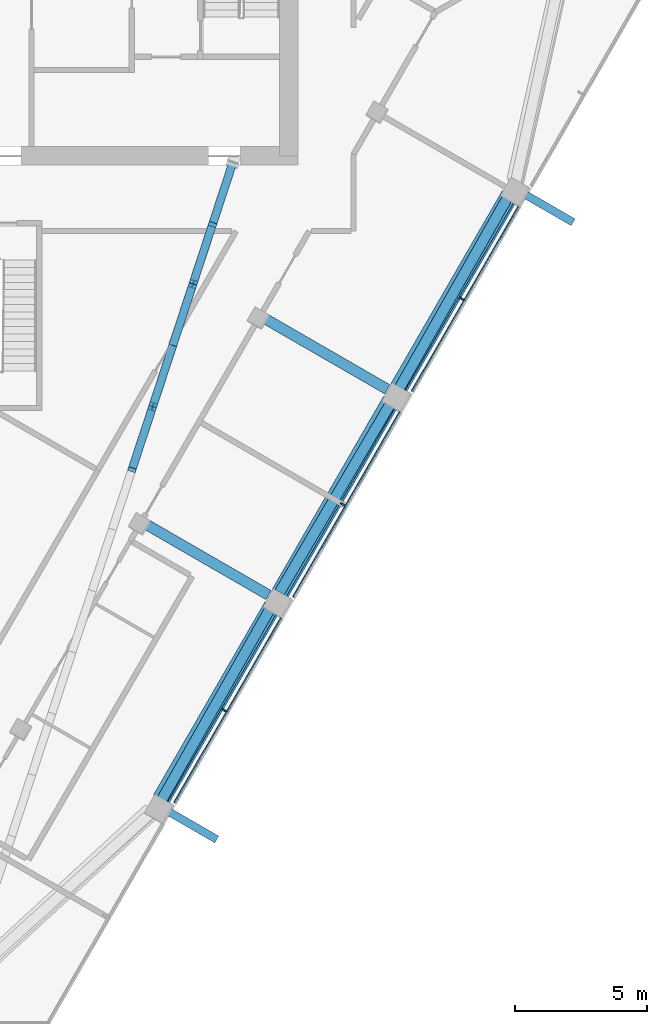
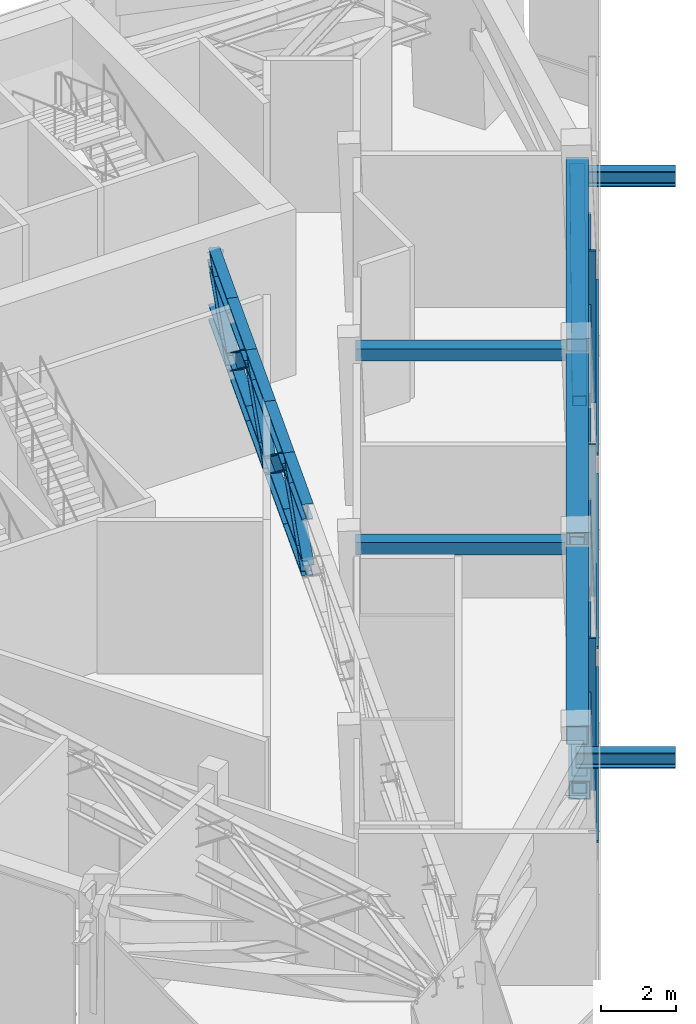
# One storey, part 4 of 14: 32 members, 2 beams, 1 element without a shape of its own.
"""IFC4 building model written with IfcOpenShell, lengths in metres."""

from ifc_helpers import new_model, si_unit, direction, frame, origin, origin_2d, place, context, subcontext, project, spatial, rectangle, hollow_rectangle, i_section, extrude, material, layer, layer_set, material_profile, profile_set, type_object, element, aggregate, save


model = new_model("IFC4")

# Units and contexts
model_context = context("Model", 3, precision=1e-05, world=origin(), true_north=direction((0.0, 1.0)))
body_context = subcontext(model_context, "Body", "Model", "MODEL_VIEW")
ifc_project = project(units=[si_unit("LENGTHUNIT", "METRE"), si_unit("AREAUNIT", "SQUARE_METRE"), si_unit("VOLUMEUNIT", "CUBIC_METRE"), si_unit("PLANEANGLEUNIT", "RADIAN"), si_unit("MASSUNIT", "GRAM", prefix="KILO")], contexts=[model_context])

# Site, building, storey
site_placement = place(None, origin())
site = spatial("IfcSite", under=ifc_project, at=site_placement, CompositionType="ELEMENT")
building_placement = place(site_placement, origin())
building = spatial("IfcBuilding", under=site, at=building_placement, Name="Altiplano Prism Tower", CompositionType="ELEMENT")
storey_placement = place(building_placement, frame((0.0, 0.0, 189.0)))
storey = spatial("IfcBuildingStorey", under=building, at=storey_placement, Name="L49", CompositionType="ELEMENT", Elevation=189.0)

# Members
ifc_material_1 = material(Name="Steel S355", Category="steel")
ifc_material_profile_1 = material_profile(ifc_material_1, hollow_rectangle(XDim=0.60009765625, YDim=0.60009765625, WallThickness=0.030029296875, at=origin_2d()), Name="Belt chord Box 600x600x30")
ifc_profile_set_1 = profile_set([ifc_material_profile_1], Name="Steel S355")
member_type_1 = type_object("IfcMemberType", Name="Belt chord Box 600x600x30", PredefinedType="CHORD", material=ifc_profile_set_1)
for number, where, z_axis, x_axis, name in (
    (1, (92.52294921875, 68.622314453125, 2.89990234375), (0.499993714791, 0.866029032521, 0.0), (-0.866029032521, 0.499993714791, 0.0), "Belt truss R2 chord b11"),
    (2, (92.48388671875, 68.689697265625, 4.64990234375), (0.499993714791, 0.866029032521, 0.0), (-0.866029032521, 0.499993714791, 0.0), "Belt truss R2 chord t11"),
    (3, (97.02294921875, 76.41650390625, 2.89990234375), (0.499993714791, 0.866029032521, 0.0), (-0.866029032521, 0.499993714791, 0.0), "Belt truss R2 chord b12"),
    (4, (96.98388671875, 76.48388671875, 4.64990234375), (0.499993714791, 0.866029032521, 0.0), (-0.866029032521, 0.499993714791, 0.0), "Belt truss R2 chord t12"),
    (5, (101.52294921875, 84.210693359375, 2.89990234375), (0.499993714791, 0.866029032521, 0.0), (-0.866029032521, 0.499993714791, 0.0), "Belt truss R2 chord b13"),
    (6, (101.48388671875, 84.278076171875, 4.64990234375), (0.499993714791, 0.866029032521, 0.0), (-0.866029032521, 0.499993714791, 0.0), "Belt truss R2 chord t13"),
):
    element("IfcMember", number, at=place(storey_placement, frame(where, z_axis=z_axis, x_axis=x_axis)), inside=storey, type_object=member_type_1, Name=name, PredefinedType="CHORD", context=body_context, shape_type="SweptSolid", body=[
        extrude(hollow_rectangle(XDim=0.60009765625, YDim=0.60009765625, WallThickness=0.030029296875, at=origin_2d()), origin(), (0.0, 0.0, 1.0), 8.43994140625),
    ])
ifc_material_profile_2 = material_profile(ifc_material_1, hollow_rectangle(XDim=0.39990234375, YDim=0.39990234375, WallThickness=0.02001953125, at=origin_2d()), Name="Belt diagonal Box 400x400x20")
ifc_profile_set_2 = profile_set([ifc_material_profile_2], Name="Steel S355")
member_type_2 = type_object("IfcMemberType", Name="Belt diagonal Box 400x400x20", PredefinedType="BRACE", material=ifc_profile_set_2)
member_1_placement = place(storey_placement, frame((92.52099609375, 68.623291015625, 2.9541015625), z_axis=(0.484543905477, 0.853866939434, 0.190074862635), x_axis=(-0.869722325715, 0.493541362149, 0.0)))
element("IfcMember", 7, at=member_1_placement, inside=storey, type_object=member_type_2, Name="Belt truss R2 diagonal 11", PredefinedType="BRACE", context=body_context, shape_type="SweptSolid", body=[
    extrude(hollow_rectangle(XDim=0.39990234375, YDim=0.39990234375, WallThickness=0.02001953125, at=origin_2d()), origin(), (0.0, 0.0, 1.0), 8.63671875),
])
member_2_placement = place(storey_placement, frame((96.98583984375, 76.48291015625, 4.59521484375), z_axis=(0.497100402967, 0.84626002963, -0.191664163632), x_axis=(-0.862245571971, 0.506490447706, 0.0)))
element("IfcMember", 8, at=member_2_placement, inside=storey, type_object=member_type_2, Name="Belt truss R2 diagonal 12", PredefinedType="BRACE", context=body_context, shape_type="SweptSolid", body=[
    extrude(hollow_rectangle(XDim=0.39990234375, YDim=0.39990234375, WallThickness=0.02001953125, at=origin_2d()), origin(), (0.0, 0.0, 1.0), 8.559814453125),
])
member_3_placement = place(storey_placement, frame((101.52099609375, 84.2119140625, 2.9541015625), z_axis=(0.484543905477, 0.853866939434, 0.190074862635), x_axis=(-0.869722325715, 0.493541362149, 0.0)))
element("IfcMember", 9, at=member_3_placement, inside=storey, type_object=member_type_2, Name="Belt truss R2 diagonal 13", PredefinedType="BRACE", context=body_context, shape_type="SweptSolid", body=[
    extrude(hollow_rectangle(XDim=0.39990234375, YDim=0.39990234375, WallThickness=0.02001953125, at=origin_2d()), origin(), (0.0, 0.0, 1.0), 8.63671875),
])
ifc_material_profile_3 = material_profile(ifc_material_1, i_section(OverallWidth=0.300048828125, OverallDepth=0.5, WebThickness=0.014404296875, FlangeThickness=0.028076171875, FilletRadius=0.027099609375, at=origin_2d()), Name="Brace bracket HEB 500")
ifc_profile_set_3 = profile_set([ifc_material_profile_3], Name="Steel S355")
member_type_3 = type_object("IfcMemberType", Name="Brace bracket HEB 500", PredefinedType="STRUT", material=ifc_profile_set_3)
for number, where, z_axis, x_axis, name in (
    (10, (92.327392578125, 68.47607421875, 4.120849609375), (0.866029095148, -0.499993606316, 0.0), (0.499993606316, 0.866029095148, 0.0), "Brace bracket 2.194.4"),
    (11, (105.827392578125, 91.858642578125, 4.125732421875), (0.866029095148, -0.499993606316, 0.0), (0.499993606316, 0.866029095148, 0.0), "Brace bracket 2.194.4"),
):
    element("IfcMember", number, at=place(storey_placement, frame(where, z_axis=z_axis, x_axis=x_axis)), inside=storey, type_object=member_type_3, Name=name, PredefinedType="STRUT", context=body_context, shape_type="SweptSolid", body=[
        extrude(i_section(OverallWidth=0.300048828125, OverallDepth=0.5, WebThickness=0.014404296875, FlangeThickness=0.028076171875, FilletRadius=0.027099609375, at=origin_2d()), origin(), (0.0, 0.0, 1.0), 2.64990234375),
    ])

# Curtain wall, members
ifc_material_2 = material(Name="Aluminium and glass", Category="aluminium")
ifc_layer = layer(ifc_material_2, 0.320068359375)
ifc_layer_set = layer_set([ifc_layer], Name="Aluminium and glass")
curtain_wall_type = type_object("IfcCurtainWallType", Name="CW6 louvred plant-floor curtain wall", PredefinedType="NOTDEFINED", material=ifc_layer_set)
curtain_wall_placement = place(storey_placement, origin())
curtain_wall = element("IfcCurtainWall", 12, at=curtain_wall_placement, inside=storey, type_object=curtain_wall_type, Name="CW6 curtain wall south-east face L49", PredefinedType="NOTDEFINED")
ifc_material_3 = material(Name="Aluminium", Category="aluminium")
ifc_material_profile_4 = material_profile(ifc_material_3, rectangle(XDim=0.199951171875, YDim=0.06005859375, at=origin_2d()), Name="CW6 mullion 60 x 200")
ifc_profile_set_4 = profile_set([ifc_material_profile_4], Name="Aluminium")
member_type_4 = type_object("IfcMemberType", Name="CW6 mullion 60 x 200", PredefinedType="MULLION", material=ifc_profile_set_4)
member_4_placement = place(storey_placement, frame((94.896484375, 72.05029296875, 0.0), z_axis=(0.0, 0.0, 1.0), x_axis=(-0.866025397379, 0.500000011094, 0.0)))
member_4 = element("IfcMember", 13, at=member_4_placement, type_object=member_type_4, Name="CW6 mullion", PredefinedType="MULLION", context=body_context, shape_type="SweptSolid", body=[
    extrude(rectangle(XDim=0.199951171875, YDim=0.06005859375, at=origin_2d()), origin(), (0.0, 0.0, 1.0), 4.949951171875),
])
member_5_placement = place(storey_placement, frame((99.396484375, 79.844482421875, 0.0), z_axis=(0.0, 0.0, 1.0), x_axis=(-0.866025397379, 0.500000011094, 0.0)))
member_5 = element("IfcMember", 14, at=member_5_placement, type_object=member_type_4, Name="CW6 mullion", PredefinedType="MULLION", context=body_context, shape_type="SweptSolid", body=[
    extrude(rectangle(XDim=0.199951171875, YDim=0.06005859375, at=origin_2d()), origin(), (0.0, 0.0, 1.0), 4.949951171875),
])
member_6_placement = place(storey_placement, frame((103.896484375, 87.638916015625, 0.0), z_axis=(0.0, 0.0, 1.0), x_axis=(-0.866025397379, 0.500000011094, 0.0)))
member_6 = element("IfcMember", 15, at=member_6_placement, type_object=member_type_4, Name="CW6 mullion", PredefinedType="MULLION", context=body_context, shape_type="SweptSolid", body=[
    extrude(rectangle(XDim=0.199951171875, YDim=0.06005859375, at=origin_2d()), origin(), (0.0, 0.0, 1.0), 4.949951171875),
])
ifc_material_profile_5 = material_profile(ifc_material_3, rectangle(XDim=0.06005859375, YDim=0.080078125, at=origin_2d()), Name="CW6 transom 80 x 60")
ifc_profile_set_5 = profile_set([ifc_material_profile_5], Name="Aluminium")
member_type_5 = type_object("IfcMemberType", Name="CW6 transom 80 x 60", PredefinedType="USERDEFINED", material=ifc_profile_set_5)
member_7_placement = place(storey_placement, frame((93.01904296875, 68.53857421875, 1.10009765625), z_axis=(0.500012779794, 0.866018025241, 0.0), x_axis=(-0.866018025241, 0.500012779794, 0.0)))
member_7 = element("IfcMember", 16, at=member_7_placement, type_object=member_type_5, Name="CW6 transom", ObjectType="TRANSOM", PredefinedType="USERDEFINED", context=body_context, shape_type="SweptSolid", body=[
    extrude(rectangle(XDim=0.06005859375, YDim=0.080078125, at=origin_2d()), origin(), (0.0, 0.0, 1.0), 8.079833984375),
])
member_8_placement = place(storey_placement, frame((97.51904296875, 76.332763671875, 1.10009765625), z_axis=(0.499999695987, 0.866025579307, 0.0), x_axis=(-0.866025579307, 0.499999695987, 0.0)))
member_8 = element("IfcMember", 17, at=member_8_placement, type_object=member_type_5, Name="CW6 transom", ObjectType="TRANSOM", PredefinedType="USERDEFINED", context=body_context, shape_type="SweptSolid", body=[
    extrude(rectangle(XDim=0.06005859375, YDim=0.080078125, at=origin_2d()), origin(), (0.0, 0.0, 1.0), 8.080078125),
])
member_9_placement = place(storey_placement, frame((102.01904296875, 84.126953125, 1.10009765625), z_axis=(0.499999695987, 0.866025579307, 0.0), x_axis=(-0.866025579307, 0.499999695987, 0.0)))
member_9 = element("IfcMember", 18, at=member_9_placement, type_object=member_type_5, Name="CW6 transom", ObjectType="TRANSOM", PredefinedType="USERDEFINED", context=body_context, shape_type="SweptSolid", body=[
    extrude(rectangle(XDim=0.06005859375, YDim=0.080078125, at=origin_2d()), origin(), (0.0, 0.0, 1.0), 8.080078125),
])
aggregate(curtain_wall, [member_4, member_7, member_5, member_8, member_6, member_9])

# Members
ifc_material_profile_6 = material_profile(ifc_material_1, i_section(OverallWidth=0.305908203125, OverallDepth=0.52392578125, WebThickness=0.02099609375, FlangeThickness=0.0400390625, FilletRadius=0.027099609375, at=origin_2d()), Name="Outrigger chord HEM 500")
ifc_profile_set_6 = profile_set([ifc_material_profile_6], Name="Steel S355")
member_type_6 = type_object("IfcMemberType", Name="Outrigger chord HEM 500", PredefinedType="CHORD", material=ifc_profile_set_6)
for number, where, z_axis, x_axis, name in (
    (19, (91.430419921875, 81.224853515625, 2.862060546875), (0.312061899705, 0.950061772072, 0.0), (-0.950061772072, 0.312061899705, 0.0), "Outrigger truss R2 4 chord b9"),
    (20, (91.430419921875, 81.224853515625, 4.68798828125), (0.312061899705, 0.950061772072, 0.0), (-0.950061772072, 0.312061899705, 0.0), "Outrigger truss R2 4 chord t9"),
):
    element("IfcMember", number, at=place(storey_placement, frame(where, z_axis=z_axis, x_axis=x_axis)), inside=storey, type_object=member_type_6, Name=name, PredefinedType="CHORD", context=body_context, shape_type="SweptSolid", body=[
        extrude(i_section(OverallWidth=0.305908203125, OverallDepth=0.52392578125, WebThickness=0.02099609375, FlangeThickness=0.0400390625, FilletRadius=0.027099609375, at=origin_2d()), origin(), (0.0, 0.0, 1.0), 2.445556640625),
    ])
for number, where, z_axis, x_axis, name in (
    (21, (92.193603515625, 83.54833984375, 2.862060546875), (0.312152001858, 0.950032171948, 0.0), (-0.950032171948, 0.312152001858, 0.0), "Outrigger truss R2 4 chord b10"),
    (22, (92.193603515625, 83.54833984375, 4.68798828125), (0.312152001858, 0.950032171948, 0.0), (-0.950032171948, 0.312152001858, 0.0), "Outrigger truss R2 4 chord t10"),
):
    element("IfcMember", number, at=place(storey_placement, frame(where, z_axis=z_axis, x_axis=x_axis)), inside=storey, type_object=member_type_6, Name=name, PredefinedType="CHORD", context=body_context, shape_type="SweptSolid", body=[
        extrude(i_section(OverallWidth=0.305908203125, OverallDepth=0.52392578125, WebThickness=0.02099609375, FlangeThickness=0.0400390625, FilletRadius=0.027099609375, at=origin_2d()), origin(), (0.0, 0.0, 1.0), 2.44580078125),
    ])
for number, where, z_axis, x_axis, name in (
    (23, (92.95703125, 85.871826171875, 2.862060546875), (0.312061899705, 0.950061772072, 0.0), (-0.950061772072, 0.312061899705, 0.0), "Outrigger truss R2 4 chord b11"),
    (24, (92.95703125, 85.871826171875, 4.68798828125), (0.312061899705, 0.950061772072, 0.0), (-0.950061772072, 0.312061899705, 0.0), "Outrigger truss R2 4 chord t11"),
):
    element("IfcMember", number, at=place(storey_placement, frame(where, z_axis=z_axis, x_axis=x_axis)), inside=storey, type_object=member_type_6, Name=name, PredefinedType="CHORD", context=body_context, shape_type="SweptSolid", body=[
        extrude(i_section(OverallWidth=0.305908203125, OverallDepth=0.52392578125, WebThickness=0.02099609375, FlangeThickness=0.0400390625, FilletRadius=0.027099609375, at=origin_2d()), origin(), (0.0, 0.0, 1.0), 2.445556640625),
    ])
for number, where, z_axis, x_axis, name in (
    (25, (93.72021484375, 88.1953125, 2.862060546875), (0.312032305588, 0.950071492189, 0.0), (-0.950071492189, 0.312032305588, 0.0), "Outrigger truss R2 4 chord b12"),
    (26, (93.72021484375, 88.1953125, 4.68798828125), (0.312032305588, 0.950071492189, 0.0), (-0.950071492189, 0.312032305588, 0.0), "Outrigger truss R2 4 chord t12"),
):
    element("IfcMember", number, at=place(storey_placement, frame(where, z_axis=z_axis, x_axis=x_axis)), inside=storey, type_object=member_type_6, Name=name, PredefinedType="CHORD", context=body_context, shape_type="SweptSolid", body=[
        extrude(i_section(OverallWidth=0.305908203125, OverallDepth=0.52392578125, WebThickness=0.02099609375, FlangeThickness=0.0400390625, FilletRadius=0.027099609375, at=origin_2d()), origin(), (0.0, 0.0, 1.0), 2.44580078125),
    ])
for number, where, z_axis, x_axis, name in (
    (27, (94.4833984375, 90.51904296875, 2.862060546875), (0.312175534256, 0.950024439587, 0.0), (-0.950024439587, 0.312175534256, 0.0), "Outrigger truss R2 4 chord b13"),
    (28, (94.4833984375, 90.51904296875, 4.68798828125), (0.312175534256, 0.950024439587, 0.0), (-0.950024439587, 0.312175534256, 0.0), "Outrigger truss R2 4 chord t13"),
):
    element("IfcMember", number, at=place(storey_placement, frame(where, z_axis=z_axis, x_axis=x_axis)), inside=storey, type_object=member_type_6, Name=name, PredefinedType="CHORD", context=body_context, shape_type="SweptSolid", body=[
        extrude(i_section(OverallWidth=0.305908203125, OverallDepth=0.52392578125, WebThickness=0.02099609375, FlangeThickness=0.0400390625, FilletRadius=0.027099609375, at=origin_2d()), origin(), (0.0, 0.0, 1.0), 2.405517578125),
    ])
ifc_material_profile_7 = material_profile(ifc_material_1, i_section(OverallWidth=0.300048828125, OverallDepth=0.5, WebThickness=0.014404296875, FlangeThickness=0.028076171875, FilletRadius=0.027099609375, at=origin_2d()), Name="Outrigger diagonal HEB 500")
ifc_profile_set_7 = profile_set([ifc_material_profile_7], Name="Steel S355")
member_type_7 = type_object("IfcMemberType", Name="Outrigger diagonal HEB 500", PredefinedType="BRACE", material=ifc_profile_set_7)
for number, where, z_axis, x_axis, name in (
    (29, (91.430419921875, 81.224853515625, 2.862060546875), (0.250055510962, 0.761285443963, 0.598261409625), (-0.950061772072, 0.312061899705, 0.0), "Outrigger truss R2 4 diagonal 9"),
    (30, (92.193603515625, 83.54833984375, 4.68798828125), (0.250130499147, 0.761270214386, -0.598249441357), (-0.950032171948, 0.312152001858, 0.0), "Outrigger truss R2 4 diagonal 10"),
    (31, (92.95703125, 85.871826171875, 2.862060546875), (0.250055510962, 0.761285443963, 0.598261409625), (-0.950061772072, 0.312061899705, 0.0), "Outrigger truss R2 4 diagonal 11"),
):
    element("IfcMember", number, at=place(storey_placement, frame(where, z_axis=z_axis, x_axis=x_axis)), inside=storey, type_object=member_type_7, Name=name, PredefinedType="BRACE", context=body_context, shape_type="SweptSolid", body=[
        extrude(i_section(OverallWidth=0.300048828125, OverallDepth=0.5, WebThickness=0.014404296875, FlangeThickness=0.028076171875, FilletRadius=0.027099609375, at=origin_2d()), origin(), (0.0, 0.0, 1.0), 3.052001953125),
    ])
member_10_placement = place(storey_placement, frame((93.72021484375, 88.1953125, 4.68798828125), z_axis=(0.250040283955, 0.761319073156, -0.598224978791), x_axis=(-0.950071492189, 0.312032305588, 0.0)))
element("IfcMember", 32, at=member_10_placement, inside=storey, type_object=member_type_7, Name="Outrigger truss R2 4 diagonal 12", PredefinedType="BRACE", context=body_context, shape_type="SweptSolid", body=[
    extrude(i_section(OverallWidth=0.300048828125, OverallDepth=0.5, WebThickness=0.014404296875, FlangeThickness=0.028076171875, FilletRadius=0.027099609375, at=origin_2d()), origin(), (0.0, 0.0, 1.0), 3.05224609375),
])
member_11_placement = place(storey_placement, frame((94.4833984375, 90.51904296875, 2.862060546875), z_axis=(0.250133096949, 0.761260546514, 0.598260657349), x_axis=(-0.950030034882, 0.312158505925, 0.0)))
element("IfcMember", 33, at=member_11_placement, inside=storey, type_object=member_type_7, Name="Outrigger truss R2 4 diagonal 13", PredefinedType="BRACE", context=body_context, shape_type="SweptSolid", body=[
    extrude(i_section(OverallWidth=0.300048828125, OverallDepth=0.5, WebThickness=0.014404296875, FlangeThickness=0.028076171875, FilletRadius=0.027099609375, at=origin_2d()), origin(), (0.0, 0.0, 1.0), 3.011962890625),
])

# Beams
ifc_material_4 = material(Name="Concrete C60/75", Category="concrete")
ifc_material_profile_8 = material_profile(ifc_material_4, rectangle(XDim=0.39990234375, YDim=0.39990234375, at=origin_2d()), Name="Tie beam 400x400")
ifc_profile_set_8 = profile_set([ifc_material_profile_8], Name="Concrete C60/75")
beam_type = type_object("IfcBeamType", Name="Tie beam 400x400", PredefinedType="BEAM", material=ifc_profile_set_8)
for number, where, z_axis, x_axis, name in (
    (34, (91.74365234375, 79.205322265625, 4.75), (0.866030670444, -0.499990877767, 0.0), (0.499990877767, 0.866030670444, 0.0), "Tie beam I22 L50"),
    (35, (96.24365234375, 86.99951171875, 4.75), (0.866030670444, -0.499990877767, 0.0), (0.499990877767, 0.866030670444, 0.0), "Tie beam I23 L50"),
):
    element("IfcBeam", number, at=place(storey_placement, frame(where, z_axis=z_axis, x_axis=x_axis)), inside=storey, type_object=beam_type, Name=name, PredefinedType="BEAM", context=body_context, shape_type="SweptSolid", body=[
        extrude(rectangle(XDim=0.39990234375, YDim=0.39990234375, at=origin_2d()), origin(), (0.0, 0.0, 1.0), 5.58984375),
    ])

save(model, "model.ifc")
